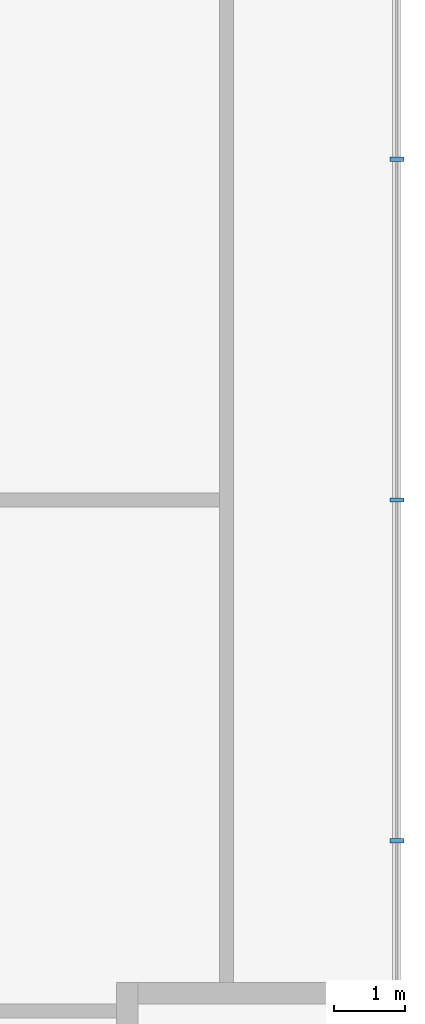
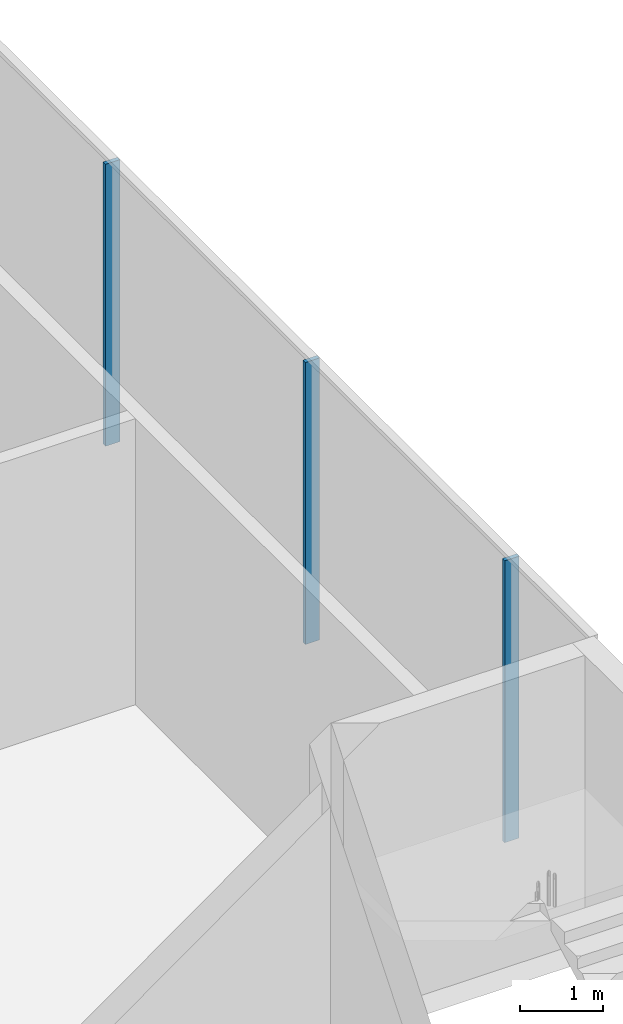
# One storey, part 12 of 43: 3 members, 1 element without a shape of its own.
"""IFC4 building model written with IfcOpenShell, lengths in metres."""

from ifc_helpers import new_model, si_unit, direction, frame, origin, origin_2d, place, context, subcontext, project, spatial, rectangle, extrude, material, layer, layer_set, material_profile, profile_set, type_object, element, aggregate, save


model = new_model("IFC4")

# Units and contexts
model_context = context("Model", 3, precision=1e-05, world=origin(), true_north=direction((0.0, 1.0)))
body_context = subcontext(model_context, "Body", "Model", "MODEL_VIEW")
ifc_project = project(units=[si_unit("LENGTHUNIT", "METRE"), si_unit("AREAUNIT", "SQUARE_METRE"), si_unit("VOLUMEUNIT", "CUBIC_METRE"), si_unit("PLANEANGLEUNIT", "RADIAN"), si_unit("MASSUNIT", "GRAM", prefix="KILO")], contexts=[model_context])

# Site, building, storey
site_placement = place(None, origin())
site = spatial("IfcSite", under=ifc_project, at=site_placement, CompositionType="ELEMENT")
building_placement = place(site_placement, origin())
building = spatial("IfcBuilding", under=site, at=building_placement, Name="Madar Terraces", CompositionType="ELEMENT")
storey_placement = place(building_placement, frame((0.0, 0.0, 10.5)))
storey = spatial("IfcBuildingStorey", under=building, at=storey_placement, Name="L02", CompositionType="ELEMENT", Elevation=10.5)

# Curtain wall, members
ifc_material_1 = material(Name="Glass, clear low-iron, with black aluminium frame", Category="aluminium")
ifc_layer = layer(ifc_material_1, 0.199951171875)
ifc_layer_set = layer_set([ifc_layer], Name="Facade curtain wall, shopfront glazing")
curtain_wall_type = type_object("IfcCurtainWallType", Name="Facade curtain wall, shopfront glazing", PredefinedType="NOTDEFINED", material=ifc_layer_set)
curtain_wall_placement = place(storey_placement, origin())
curtain_wall = element("IfcCurtainWall", 1, at=curtain_wall_placement, inside=storey, type_object=curtain_wall_type, Name="Outer skin curtain wall east bay 1", PredefinedType="NOTDEFINED")
ifc_material_2 = material(Name="Aluminium, black anodised", Category="aluminium")
ifc_material_profile = material_profile(ifc_material_2, rectangle(XDim=0.199951171875, YDim=0.06005859375, at=origin_2d()), Name="Facade mullion 60x200")
ifc_profile_set = profile_set([ifc_material_profile], Name="Aluminium, black anodised")
member_type = type_object("IfcMemberType", Name="Facade mullion 60x200", PredefinedType="MULLION", material=ifc_profile_set)
member_1_placement = place(storey_placement, frame((69.60009765625, 14.39990234375, 0.0), z_axis=(0.0, 0.0, 1.0), x_axis=(-1.0, 0.0, 0.0)))
member_1 = element("IfcMember", 2, at=member_1_placement, type_object=member_type, Name="Mullion 5", PredefinedType="MULLION", context=body_context, shape_type="SweptSolid", body=[
    extrude(rectangle(XDim=0.199951171875, YDim=0.06005859375, at=origin_2d()), origin(), (0.0, 0.0, 1.0), 4.139892578125),
])
member_2_placement = place(storey_placement, frame((69.60009765625, 19.199951171875, 0.0), z_axis=(0.0, 0.0, 1.0), x_axis=(-1.0, 0.0, 0.0)))
member_2 = element("IfcMember", 3, at=member_2_placement, type_object=member_type, Name="Mullion 6", PredefinedType="MULLION", context=body_context, shape_type="SweptSolid", body=[
    extrude(rectangle(XDim=0.199951171875, YDim=0.06005859375, at=origin_2d()), origin(), (0.0, 0.0, 1.0), 4.139892578125),
])
member_3_placement = place(storey_placement, frame((69.60009765625, 24.0, 0.0), z_axis=(0.0, 0.0, 1.0), x_axis=(-1.0, 0.0, 0.0)))
member_3 = element("IfcMember", 4, at=member_3_placement, type_object=member_type, Name="Mullion 7", PredefinedType="MULLION", context=body_context, shape_type="SweptSolid", body=[
    extrude(rectangle(XDim=0.199951171875, YDim=0.06005859375, at=origin_2d()), origin(), (0.0, 0.0, 1.0), 4.139892578125),
])
aggregate(curtain_wall, [member_1, member_2, member_3])

save(model, "model.ifc")
